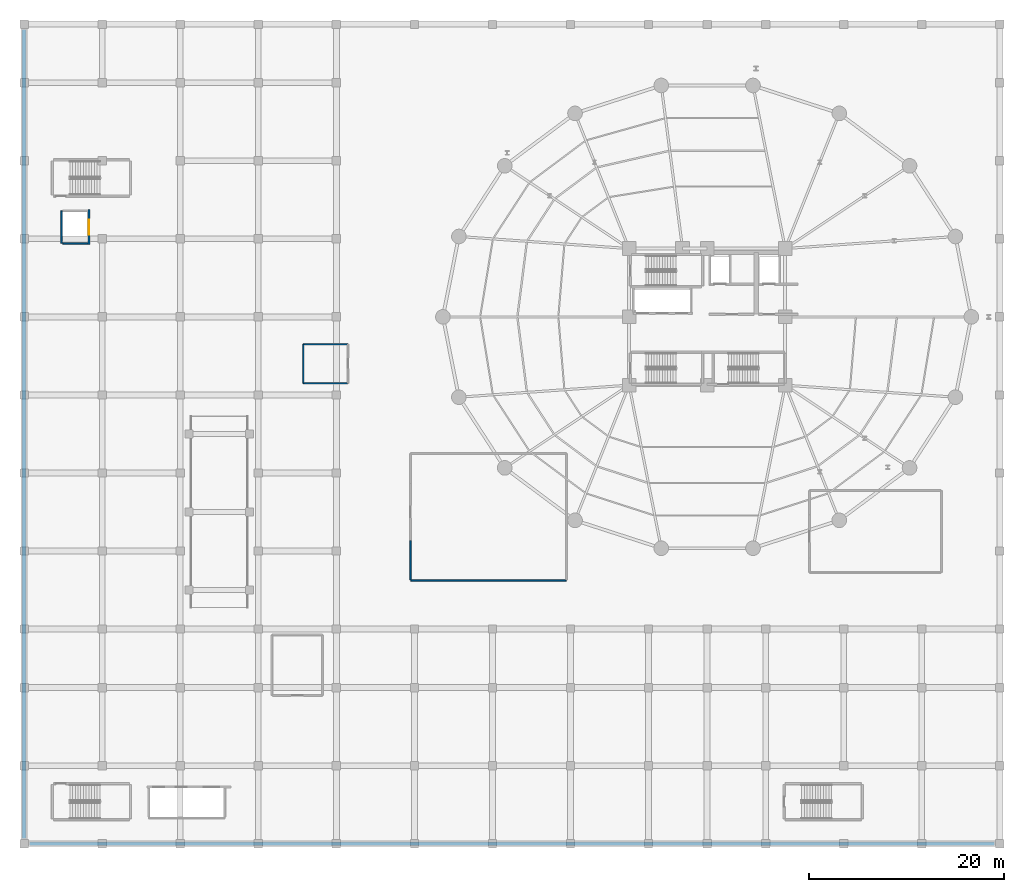
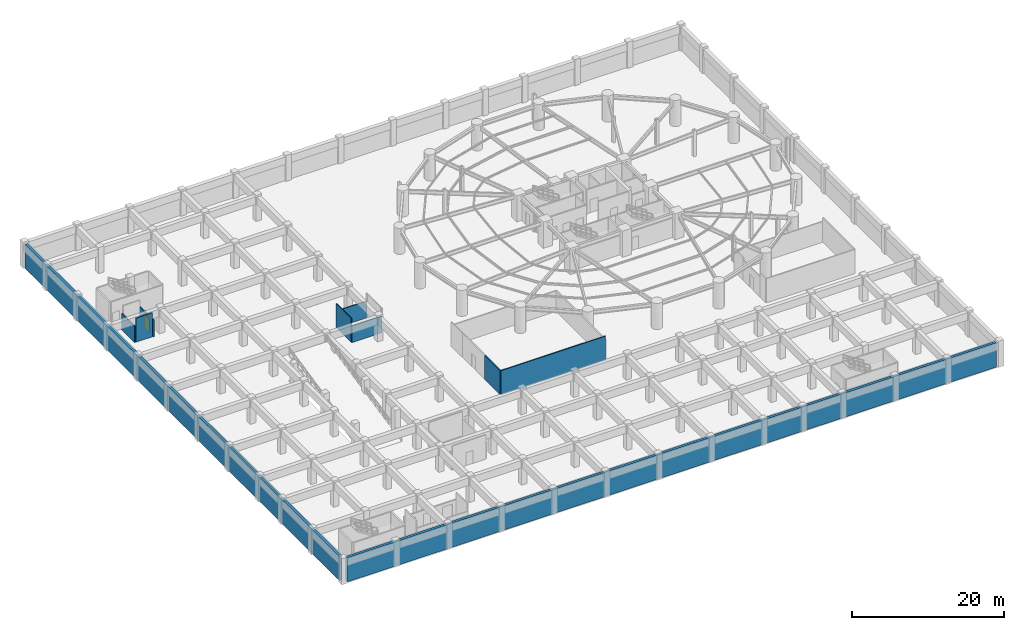
# One storey, part 10 of 20: 10 walls, 1 door, 1 opening.
"""IFC4 building model written with IfcOpenShell, lengths in metres."""

from ifc_helpers import new_model, si_unit, direction, frame, frame_2d, origin, place, context, subcontext, project, spatial, rectangle, extrude, material, layer, layer_set, type_object, element, fill, save


model = new_model("IFC4")

# Units and contexts
model_context = context("Model", 3, precision=1e-05, world=origin(), true_north=direction((0.0, 1.0)))
body_context = subcontext(model_context, "Body", "Model", "MODEL_VIEW")
ifc_project = project(units=[si_unit("LENGTHUNIT", "METRE"), si_unit("AREAUNIT", "SQUARE_METRE"), si_unit("VOLUMEUNIT", "CUBIC_METRE"), si_unit("PLANEANGLEUNIT", "RADIAN"), si_unit("MASSUNIT", "GRAM", prefix="KILO")], contexts=[model_context])

# Site, building, storey
site_placement = place(None, origin())
site = spatial("IfcSite", under=ifc_project, at=site_placement, CompositionType="ELEMENT")
building_placement = place(site_placement, origin())
building = spatial("IfcBuilding", under=site, at=building_placement, Name="Kelanora Arch Commons", CompositionType="ELEMENT")
storey_placement = place(building_placement, frame((0.0, 0.0, -4.199951171875)))
storey = spatial("IfcBuildingStorey", under=building, at=storey_placement, Name="B01", CompositionType="ELEMENT", Elevation=-4.199951171875)

# Walls
ifc_material_1 = material(Name="Concrete C45/55 waterproofed retaining wall", Category="concrete")
ifc_layer_1 = layer(ifc_material_1, 0.39990234375)
ifc_layer_set_1 = layer_set([ifc_layer_1], Name="Concrete C45/55 waterproofed retaining wall")
wall_type_1 = type_object("IfcWallType", Name="W-BSMT-RET", PredefinedType="USERDEFINED", material=ifc_layer_set_1)
wall_1_placement = place(storey_placement, frame((4.550048828125, 4.0, 0.0), z_axis=(0.0, 0.0, 1.0), x_axis=(1.0, 0.0, 0.0)))
element("IfcWall", 1, at=wall_1_placement, inside=storey, type_object=wall_type_1, Name="Basement Retaining Wall B01-1", ObjectType="RETAININGWALL", PredefinedType="USERDEFINED", context=body_context, shape_type="SweptSolid", body=[
    extrude(rectangle(XDim=98.89990234375, YDim=0.39990234375, at=frame_2d((49.449951171875, 0.0))), origin(), (0.0, 0.0, 1.0), 3.89990234375),
])
wall_2_placement = place(storey_placement, frame((4.0, 87.449951171875, 0.0), z_axis=(0.0, 0.0, 1.0), x_axis=(0.0, -1.0, 0.0)))
element("IfcWall", 2, at=wall_2_placement, inside=storey, type_object=wall_type_1, Name="Basement Retaining Wall B01-4", ObjectType="RETAININGWALL", PredefinedType="USERDEFINED", context=body_context, shape_type="SweptSolid", body=[
    extrude(rectangle(XDim=82.89990234375, YDim=0.39990234375, at=frame_2d((41.449951171875, 0.0))), origin(), (0.0, 0.0, 1.0), 3.89990234375),
])
ifc_material_2 = material(Name="Autoclaved aerated concrete blockwork with fire plaster", Category="masonry")
ifc_layer_2 = layer(ifc_material_2, 0.14990234375)
ifc_layer_set_2 = layer_set([ifc_layer_2], Name="Autoclaved aerated concrete blockwork with fire plaster")
wall_type_2 = type_object("IfcWallType", Name="W-COMP-150", PredefinedType="PARTITIONING", material=ifc_layer_set_2)
wall_3_placement = place(storey_placement, frame((7.840087890625, 65.5400390625, 0.0), z_axis=(0.0, 0.0, 1.0), x_axis=(0.0, 1.0, 0.0)))
element("IfcWall", 3, at=wall_3_placement, inside=storey, type_object=wall_type_2, Name="Market West Lift Shaft Back Wall B01", PredefinedType="PARTITIONING", context=body_context, shape_type="SweptSolid", body=[
    extrude(rectangle(XDim=3.320068359375, YDim=0.14990234375, at=frame_2d((1.66015625, 0.0))), origin(), (0.0, 0.0, 1.0), 2.68505859375),
])
wall_4_placement = place(storey_placement, frame((7.9599609375, 65.5400390625, 0.0), z_axis=(0.0, 0.0, 1.0), x_axis=(1.0, 0.0, 0.0)))
element("IfcWall", 4, at=wall_4_placement, inside=storey, type_object=wall_type_2, Name="Market West Lift Shaft South Wall B01", PredefinedType="PARTITIONING", context=body_context, shape_type="SweptSolid", body=[
    extrude(rectangle(XDim=2.56005859375, YDim=0.14990234375, at=frame_2d((1.280029296875, 0.0))), origin(), (0.0, 0.0, 1.0), 3.869873046875),
])
wall_5_placement = place(storey_placement, frame((43.639892578125, 31.0, 0.0), z_axis=(0.0, 0.0, 1.0), x_axis=(1.0, 0.0, 0.0)))
element("IfcWall", 5, at=wall_5_placement, inside=storey, type_object=wall_type_2, Name="Monsoon Attenuation and Fire Water Tank Room B01 Enclosure Partition 1", PredefinedType="PARTITIONING", context=body_context, shape_type="SweptSolid", body=[
    extrude(rectangle(XDim=15.920166015625, YDim=0.14990234375, at=frame_2d((7.9599609375, 0.0))), origin(), (0.0, 0.0, 1.0), 3.889892578125),
])
wall_6_placement = place(storey_placement, frame((43.60009765625, 35.06005859375, 0.0), z_axis=(0.0, 0.0, 1.0), x_axis=(0.0, -1.0, 0.0)))
element("IfcWall", 6, at=wall_6_placement, inside=storey, type_object=wall_type_2, Name="Monsoon Attenuation and Fire Water Tank Room B01 Enclosure Partition 4", PredefinedType="PARTITIONING", context=body_context, shape_type="SweptSolid", body=[
    extrude(rectangle(XDim=4.02001953125, YDim=0.14990234375, at=frame_2d((2.010009765625, 0.0))), origin(), (0.0, 0.0, 1.0), 3.889892578125),
])

# Wall, opening, door
ifc_material_3 = material(Name="Concrete C40/50", Category="concrete")
ifc_layer_3 = layer(ifc_material_3, 0.199951171875)
ifc_layer_set_3 = layer_set([ifc_layer_3], Name="Concrete C40/50")
wall_type_3 = type_object("IfcWallType", Name="W-FFL-200", PredefinedType="SOLIDWALL", material=ifc_layer_set_3)
wall_7_placement = place(storey_placement, frame((10.64990234375, 65.39990234375, 0.0), z_axis=(0.0, 0.0, 1.0), x_axis=(0.0, 1.0, 0.0)))
wall_7 = element("IfcWall", 7, at=wall_7_placement, inside=storey, type_object=wall_type_3, Name="Market West Goods Lift Shaft Front B01", PredefinedType="SOLIDWALL", context=body_context, shape_type="SweptSolid", body=[
    extrude(rectangle(XDim=3.60009765625, YDim=0.199951171875, at=frame_2d((1.800048828125, 0.0))), origin(), (0.0, 0.0, 1.0), 2.68505859375),
])
opening_placement = place(wall_7_placement, frame((1.02001953125, 0.0, 0.0)))
opening = element("IfcOpeningElement", 8, at=opening_placement, cuts=wall_7, Name="Opening LD-GD", PredefinedType="OPENING", context=body_context, shape_type="SweptSolid", body=[
    extrude(rectangle(XDim=1.550048828125, YDim=2.199951171875, at=frame_2d((0.77490234375, 1.10009765625))), frame((0.0, 0.10986328125, 0.0), z_axis=(0.0, -1.0, 0.0), x_axis=(1.0, 0.0, 0.0)), (0.0, 0.0, 1.0), 0.219970703125),
])
ifc_material_4 = material(Name="Heavy-duty goods lift bi-parting sliding landing door")
door_type = type_object("IfcDoorType", Name="D-LIFT-GDS", OperationType="NOTDEFINED", PredefinedType="DOOR", material=ifc_material_4)
door_placement = place(opening_placement, origin())
door = element("IfcDoor", 9, at=door_placement, inside=storey, type_object=door_type, Name="Market Goods Lift LF-MG2 Landing Door B01", OperationType="DOUBLE_DOOR_SLIDING", OverallHeight=2.199951171875, OverallWidth=1.550048828125, PredefinedType="DOOR", context=body_context, shape_type="SweptSolid", body=[
    extrude(rectangle(XDim=1.550048828125, YDim=2.199951171875, at=frame_2d((0.77490234375, 1.10009765625))), frame((0.0, 0.02490234375, 0.0), z_axis=(0.0, -1.0, 0.0), x_axis=(1.0, 0.0, 0.0)), (0.0, 0.0, 1.0), 0.050048828125),
])
fill(opening, door)

# Walls
ifc_material_5 = material(Name="Moisture-resistant fire-rated cement-board plumbing wall")
ifc_layer_4 = layer(ifc_material_5, 0.1298828125)
ifc_layer_set_4 = layer_set([ifc_layer_4], Name="Moisture-resistant fire-rated cement-board plumbing wall")
wall_type_4 = type_object("IfcWallType", Name="W-WET-120", PredefinedType="PLUMBINGWALL", material=ifc_layer_set_4)
for number, where, z_axis, x_axis, name in (
    (10, (32.6201171875, 51.199951171875, 0.0), (0.0, 0.0, 1.0), (1.0, 0.0, 0.0), "Accessible Staff Toilet B01 Enclosure Partition 1"),
    (11, (37.179931640625, 55.199951171875, 0.0), (0.0, 0.0, 1.0), (-1.0, 0.0, 0.0), "Accessible Staff Toilet B01 Enclosure Partition 3"),
):
    element("IfcWall", number, at=place(storey_placement, frame(where, z_axis=z_axis, x_axis=x_axis)), inside=storey, type_object=wall_type_4, Name=name, PredefinedType="PLUMBINGWALL", context=body_context, shape_type="SweptSolid", body=[
        extrude(rectangle(XDim=4.559814453125, YDim=0.1298828125, at=frame_2d((2.27978515625, 0.0))), origin(), (0.0, 0.0, 1.0), 2.68505859375),
    ])
wall_8_placement = place(storey_placement, frame((32.60009765625, 55.179931640625, 0.0), z_axis=(0.0, 0.0, 1.0), x_axis=(0.0, -1.0, 0.0)))
element("IfcWall", 12, at=wall_8_placement, inside=storey, type_object=wall_type_4, Name="Accessible Staff Toilet B01 Enclosure Partition 4", PredefinedType="PLUMBINGWALL", context=body_context, shape_type="SweptSolid", body=[
    extrude(rectangle(XDim=3.9599609375, YDim=0.1298828125, at=frame_2d((1.97998046875, 0.0))), origin(), (0.0, 0.0, 1.0), 3.889892578125),
])

save(model, "model.ifc")
